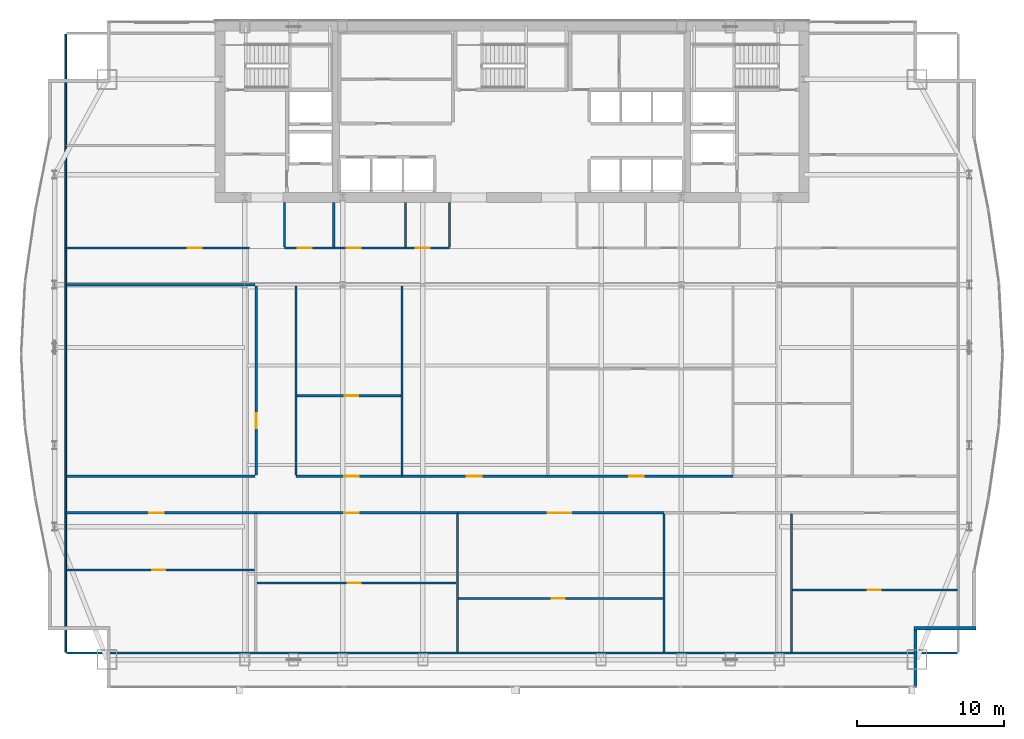
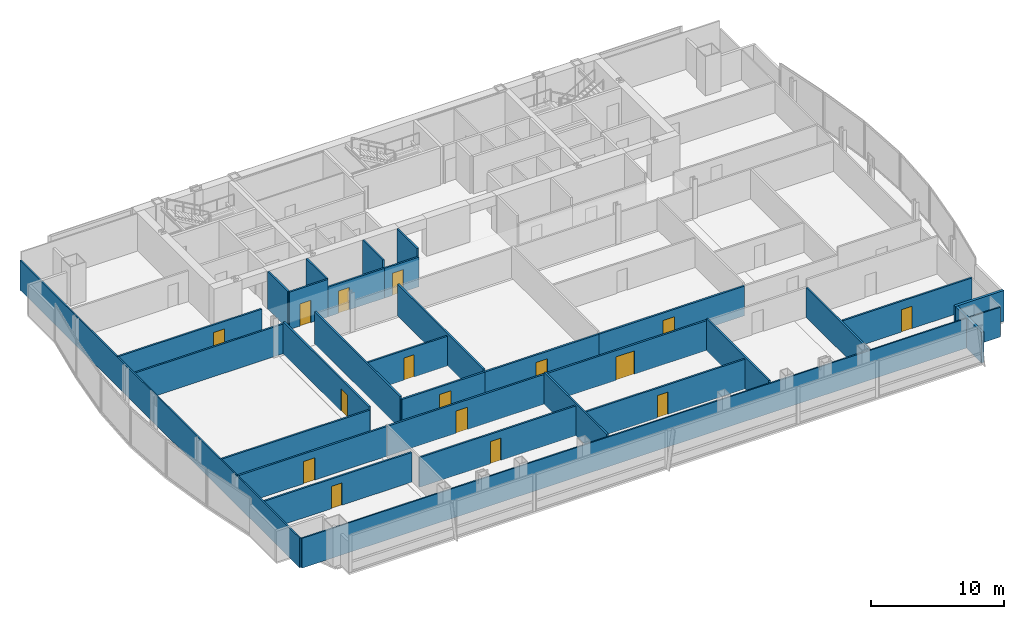
# One storey, part 24 of 29: 31 walls, 16 doors, 16 openings.
"""IFC4 building model written with IfcOpenShell, lengths in metres."""

from ifc_helpers import new_model, si_unit, direction, frame, frame_2d, origin, place, context, subcontext, project, spatial, rectangle, extrude, material, layer, layer_set, type_object, element, fill, save


model = new_model("IFC4")

# Units and contexts
model_context = context("Model", 3, precision=1e-05, world=origin(), true_north=direction((0.0, 1.0)))
body_context = subcontext(model_context, "Body", "Model", "MODEL_VIEW")
ifc_project = project(units=[si_unit("LENGTHUNIT", "METRE"), si_unit("AREAUNIT", "SQUARE_METRE"), si_unit("VOLUMEUNIT", "CUBIC_METRE"), si_unit("PLANEANGLEUNIT", "RADIAN"), si_unit("MASSUNIT", "GRAM", prefix="KILO")], contexts=[model_context])

# Site, building, storey
site_placement = place(None, origin())
site = spatial("IfcSite", under=ifc_project, at=site_placement, CompositionType="ELEMENT")
building_placement = place(site_placement, origin())
building = spatial("IfcBuilding", under=site, at=building_placement, Name="Khoronbel Lancet Exchange", CompositionType="ELEMENT")
storey_placement = place(building_placement, frame((0.0, 0.0, 154.199951171875)))
storey = spatial("IfcBuildingStorey", under=building, at=storey_placement, Name="L38", CompositionType="ELEMENT", Elevation=154.199951171875)

# Walls
ifc_material_1 = material(Name="Precast concrete C40/50", Category="concrete")
ifc_layer_1 = layer(ifc_material_1, 0.25, Name="Precast concrete C40/50")
ifc_layer_set_1 = layer_set([ifc_layer_1], Name="Precast concrete C40/50")
wall_type_1 = type_object("IfcWallType", Name="WL-EXT250", PredefinedType="SOLIDWALL", material=ifc_layer_set_1)
wall_1_placement = place(storey_placement, frame((68.070068359375, 12.2900390625, 0.0), z_axis=(0.0, 0.0, 1.0), x_axis=(-1.0, 0.0, 0.0)))
element("IfcWall", 1, at=wall_1_placement, inside=storey, type_object=wall_type_1, Name="Level L38 notched-corner limestone pier 24", PredefinedType="SOLIDWALL", context=body_context, shape_type="SweptSolid", body=[
    extrude(rectangle(XDim=4.219970703125, YDim=0.219970703125, at=frame_2d((2.10986328125, 0.0))), origin(), (0.0, 0.0, 1.0), 2.830078125),
])
wall_2_placement = place(storey_placement, frame((63.9599609375, 12.179931640625, 0.0), z_axis=(0.0, 0.0, 1.0), x_axis=(0.0, -1.0, 0.0)))
element("IfcWall", 2, at=wall_2_placement, inside=storey, type_object=wall_type_1, Name="Level L38 notched-corner limestone pier 25", PredefinedType="SOLIDWALL", context=body_context, shape_type="SweptSolid", body=[
    extrude(rectangle(XDim=3.909912109375, YDim=0.219970703125, at=frame_2d((1.955078125, 0.0))), origin(), (0.0, 0.0, 1.0), 2.830078125),
])
ifc_material_2 = material(Name="Acoustic Metal-Stud & Mineral-Wool Gypsum Partition 120 mm", Category="gypsum")
ifc_layer_2 = layer(ifc_material_2, 0.1201171875, Name="Acoustic Metal-Stud & Mineral-Wool Gypsum Partition 120 mm")
ifc_layer_set_2 = layer_set([ifc_layer_2], Name="Acoustic Metal-Stud & Mineral-Wool Gypsum Partition 120 mm")
wall_type_2 = type_object("IfcWallType", Name="WL-PRT120", PredefinedType="PARTITIONING", material=ifc_layer_set_2)
for number, where, z_axis, x_axis, name in (
    (3, (20.949951171875, 38.280029296875, 0.0), (0.0, 0.0, 1.0), (0.0, 1.0, 0.0), "Level L38 interior partition PW-WC-0"),
    (4, (24.300048828125, 38.280029296875, 0.0), (0.0, 0.0, 1.0), (0.0, 1.0, 0.0), "Level L38 interior partition PW-WC-1"),
    (5, (29.199951171875, 38.280029296875, 0.0), (0.0, 0.0, 1.0), (0.0, 1.0, 0.0), "Level L38 interior partition PW-WC-2"),
    (6, (32.179931640625, 38.280029296875, 0.0), (0.0, 0.0, 1.0), (0.0, 1.0, 0.0), "Level L38 interior partition PW-WC-3"),
):
    element("IfcWall", number, at=place(storey_placement, frame(where, z_axis=z_axis, x_axis=x_axis)), inside=storey, type_object=wall_type_2, Name=name, PredefinedType="PARTITIONING", context=body_context, shape_type="SweptSolid", body=[
        extrude(rectangle(XDim=3.02001953125, YDim=0.14990234375, at=frame_2d((1.510009765625, 0.0))), origin(), (0.0, 0.0, 1.0), 3.43994140625),
    ])

# Wall, opening, door
wall_3_placement = place(storey_placement, frame((6.094970703125, 16.2626953125, 0.0), z_axis=(0.0, 0.0, 1.0), x_axis=(1.0, 0.0, 0.0)))
wall_3 = element("IfcWall", 7, at=wall_3_placement, inside=storey, type_object=wall_type_2, Name="Level L38 interior partition PW-Z2S-H1", PredefinedType="PARTITIONING", context=body_context, shape_type="SweptSolid", body=[
    extrude(rectangle(XDim=12.81103515625, YDim=0.14990234375, at=frame_2d((6.405517578125, 0.0))), origin(), (0.0, 0.0, 1.0), 2.72998046875),
])
opening_1_placement = place(wall_3_placement, frame((5.830078125, 0.0, 0.0)))
opening_1 = element("IfcOpeningElement", 8, at=opening_1_placement, cuts=wall_3, Name="Opening D5", PredefinedType="OPENING", context=body_context, shape_type="SweptSolid", body=[
    extrude(rectangle(XDim=0.89990234375, YDim=2.050048828125, at=frame_2d((0.449951171875, 1.02490234375))), frame((0.0, 0.0849609375, 0.0), z_axis=(0.0, -1.0, 0.0), x_axis=(1.0, 0.0, 0.0)), (0.0, 0.0, 1.0), 0.169921875),
])
ifc_material_3 = material(Name="Acoustic Timber Pantry & Support Door", Category="wood")
door_type_1 = type_object("IfcDoorType", Name="DR-D5", OperationType="NOTDEFINED", PredefinedType="DOOR", material=ifc_material_3)
door_1_placement = place(opening_1_placement, origin())
door_1 = element("IfcDoor", 9, at=door_1_placement, inside=storey, type_object=door_type_1, Name="Z2S inner door 1 L38-1", OperationType="SINGLE_SWING_LEFT", OverallHeight=2.050048828125, OverallWidth=0.89990234375, PredefinedType="DOOR", context=body_context, shape_type="SweptSolid", body=[
    extrude(rectangle(XDim=0.89990234375, YDim=2.050048828125, at=frame_2d((0.449951171875, 1.02490234375))), frame((0.0, 0.02490234375, 0.0), z_axis=(0.0, -1.0, 0.0), x_axis=(1.0, 0.0, 0.0)), (0.0, 0.0, 1.0), 0.050048828125),
])
fill(opening_1, door_1)

wall_4_placement = place(storey_placement, frame((19.06591796875, 15.375, 0.0), z_axis=(0.0, 0.0, 1.0), x_axis=(1.0, 0.0, 0.0)))
wall_4 = element("IfcWall", 10, at=wall_4_placement, inside=storey, type_object=wall_type_2, Name="Level L38 interior partition PW-Z2S-H2", PredefinedType="PARTITIONING", context=body_context, shape_type="SweptSolid", body=[
    extrude(rectangle(XDim=13.578857421875, YDim=0.14990234375, at=frame_2d((6.78955078125, 0.0))), origin(), (0.0, 0.0, 1.0), 2.72998046875),
])
opening_2_placement = place(wall_4_placement, frame((6.1826171875, 0.0, 0.0)))
opening_2 = element("IfcOpeningElement", 11, at=opening_2_placement, cuts=wall_4, Name="Opening D5", PredefinedType="OPENING", context=body_context, shape_type="SweptSolid", body=[
    extrude(rectangle(XDim=0.89990234375, YDim=2.050048828125, at=frame_2d((0.449951171875, 1.02490234375))), frame((0.0, 0.0849609375, 0.0), z_axis=(0.0, -1.0, 0.0), x_axis=(1.0, 0.0, 0.0)), (0.0, 0.0, 1.0), 0.169921875),
])
door_2_placement = place(opening_2_placement, origin())
door_2 = element("IfcDoor", 12, at=door_2_placement, inside=storey, type_object=door_type_1, Name="Z2S inner door 2 L38-1", OperationType="SINGLE_SWING_LEFT", OverallHeight=2.050048828125, OverallWidth=0.89990234375, PredefinedType="DOOR", context=body_context, shape_type="SweptSolid", body=[
    extrude(rectangle(XDim=0.89990234375, YDim=2.050048828125, at=frame_2d((0.449951171875, 1.02490234375))), frame((0.0, 0.02490234375, 0.0), z_axis=(0.0, -1.0, 0.0), x_axis=(1.0, 0.0, 0.0)), (0.0, 0.0, 1.0), 0.050048828125),
])
fill(opening_2, door_2)

wall_5_placement = place(storey_placement, frame((32.8046875, 14.31689453125, 0.0), z_axis=(0.0, 0.0, 1.0), x_axis=(1.0, 0.0, 0.0)))
wall_5 = element("IfcWall", 13, at=wall_5_placement, inside=storey, type_object=wall_type_2, Name="Level L38 interior partition PW-Z2S-H3", PredefinedType="PARTITIONING", context=body_context, shape_type="SweptSolid", body=[
    extrude(rectangle(XDim=13.9326171875, YDim=0.14990234375, at=frame_2d((6.96630859375, 0.0))), origin(), (0.0, 0.0, 1.0), 2.72998046875),
])
opening_3_placement = place(wall_5_placement, frame((6.341552734375, 0.0, 0.0)))
opening_3 = element("IfcOpeningElement", 14, at=opening_3_placement, cuts=wall_5, Name="Opening D5", PredefinedType="OPENING", context=body_context, shape_type="SweptSolid", body=[
    extrude(rectangle(XDim=0.89990234375, YDim=2.050048828125, at=frame_2d((0.449951171875, 1.02490234375))), frame((0.0, 0.0849609375, 0.0), z_axis=(0.0, -1.0, 0.0), x_axis=(1.0, 0.0, 0.0)), (0.0, 0.0, 1.0), 0.169921875),
])
door_3_placement = place(opening_3_placement, origin())
door_3 = element("IfcDoor", 15, at=door_3_placement, inside=storey, type_object=door_type_1, Name="Z2S inner door 3 L38-1", OperationType="SINGLE_SWING_RIGHT", OverallHeight=2.050048828125, OverallWidth=0.89990234375, PredefinedType="DOOR", context=body_context, shape_type="SweptSolid", body=[
    extrude(rectangle(XDim=0.89990234375, YDim=2.050048828125, at=frame_2d((0.449951171875, 1.02490234375))), frame((0.0, 0.02490234375, 0.0), z_axis=(0.0, -1.0, 0.0), x_axis=(1.0, 0.0, 0.0)), (0.0, 0.0, 1.0), 0.050048828125),
])
fill(opening_3, door_3)

wall_6_placement = place(storey_placement, frame((55.585205078125, 14.884521484375, 0.0), z_axis=(0.0, 0.0, 1.0), x_axis=(1.0, 0.0, 0.0)))
wall_6 = element("IfcWall", 16, at=wall_6_placement, inside=storey, type_object=wall_type_2, Name="Level L38 interior partition PW-Z2S-H5", PredefinedType="PARTITIONING", context=body_context, shape_type="SweptSolid", body=[
    extrude(rectangle(XDim=11.2197265625, YDim=0.14990234375, at=frame_2d((5.60986328125, 0.0))), origin(), (0.0, 0.0, 1.0), 2.830078125),
])
opening_4_placement = place(wall_6_placement, frame((5.1142578125, 0.0, 0.0)))
opening_4 = element("IfcOpeningElement", 17, at=opening_4_placement, cuts=wall_6, Name="Opening D5", PredefinedType="OPENING", context=body_context, shape_type="SweptSolid", body=[
    extrude(rectangle(XDim=0.89990234375, YDim=2.050048828125, at=frame_2d((0.449951171875, 1.02490234375))), frame((0.0, 0.0849609375, 0.0), z_axis=(0.0, -1.0, 0.0), x_axis=(1.0, 0.0, 0.0)), (0.0, 0.0, 1.0), 0.169921875),
])
door_4_placement = place(opening_4_placement, origin())
door_4 = element("IfcDoor", 18, at=door_4_placement, inside=storey, type_object=door_type_1, Name="Z2S inner door 5 L38-1", OperationType="SINGLE_SWING_LEFT", OverallHeight=2.050048828125, OverallWidth=0.89990234375, PredefinedType="DOOR", context=body_context, shape_type="SweptSolid", body=[
    extrude(rectangle(XDim=0.89990234375, YDim=2.050048828125, at=frame_2d((0.449951171875, 1.02490234375))), frame((0.0, 0.02490234375, 0.0), z_axis=(0.0, -1.0, 0.0), x_axis=(1.0, 0.0, 0.0)), (0.0, 0.0, 1.0), 0.050048828125),
])
fill(opening_4, door_4)

wall_7_placement = place(storey_placement, frame((21.81005859375, 28.131103515625, 0.0), z_axis=(0.0, 0.0, 1.0), x_axis=(1.0, 0.0, 0.0)))
wall_7 = element("IfcWall", 19, at=wall_7_placement, inside=storey, type_object=wall_type_2, Name="Level L38 interior partition PW-Z2N-H1", PredefinedType="PARTITIONING", context=body_context, shape_type="SweptSolid", body=[
    extrude(rectangle(XDim=7.062255859375, YDim=0.14990234375, at=frame_2d((3.53125, 0.0))), origin(), (0.0, 0.0, 1.0), 2.72998046875),
])
opening_5_placement = place(wall_7_placement, frame((3.25, 0.0, 0.0)))
opening_5 = element("IfcOpeningElement", 20, at=opening_5_placement, cuts=wall_7, Name="Opening D5", PredefinedType="OPENING", context=body_context, shape_type="SweptSolid", body=[
    extrude(rectangle(XDim=0.89990234375, YDim=2.050048828125, at=frame_2d((0.449951171875, 1.02490234375))), frame((0.0, 0.0849609375, 0.0), z_axis=(0.0, -1.0, 0.0), x_axis=(1.0, 0.0, 0.0)), (0.0, 0.0, 1.0), 0.169921875),
])
door_5_placement = place(opening_5_placement, origin())
door_5 = element("IfcDoor", 21, at=door_5_placement, inside=storey, type_object=door_type_1, Name="Z2N inner door 1 L38-1", OperationType="SINGLE_SWING_RIGHT", OverallHeight=2.050048828125, OverallWidth=0.89990234375, PredefinedType="DOOR", context=body_context, shape_type="SweptSolid", body=[
    extrude(rectangle(XDim=0.89990234375, YDim=2.050048828125, at=frame_2d((0.449951171875, 1.02490234375))), frame((0.0, 0.02490234375, 0.0), z_axis=(0.0, -1.0, 0.0), x_axis=(1.0, 0.0, 0.0)), (0.0, 0.0, 1.0), 0.050048828125),
])
fill(opening_5, door_5)

# Walls
wall_8_placement = place(storey_placement, frame((6.030029296875, 10.6650390625, 0.0), z_axis=(0.0, 0.0, 1.0), x_axis=(0.0, 1.0, 0.0)))
element("IfcWall", 22, at=wall_8_placement, inside=storey, type_object=wall_type_2, Name="Level L38 interior partition PW-LIN-W", PredefinedType="PARTITIONING", context=body_context, shape_type="SweptSolid", body=[
    extrude(rectangle(XDim=42.10986328125, YDim=0.1201171875, at=frame_2d((21.054931640625, 0.0))), origin(), (0.0, 0.0, 1.0), 2.72998046875),
])
wall_9_placement = place(storey_placement, frame((6.094970703125, 10.60009765625, 0.0), z_axis=(0.0, 0.0, 1.0), x_axis=(1.0, 0.0, 0.0)))
element("IfcWall", 23, at=wall_9_placement, inside=storey, type_object=wall_type_2, Name="Level L38 interior partition PW-LIN-S", PredefinedType="PARTITIONING", context=body_context, shape_type="SweptSolid", body=[
    extrude(rectangle(XDim=60.7099609375, YDim=0.1201171875, at=frame_2d((30.35498046875, 0.0))), origin(), (0.0, 0.0, 1.0), 2.72998046875),
])

# Wall, opening, door
ifc_material_4 = material(Name="Fire-Rated Twin-Stud Acoustic Gypsum Partition 150 mm", Category="gypsum")
ifc_layer_3 = layer(ifc_material_4, 0.14990234375, Name="Fire-Rated Twin-Stud Acoustic Gypsum Partition 150 mm")
ifc_layer_set_3 = layer_set([ifc_layer_3], Name="Fire-Rated Twin-Stud Acoustic Gypsum Partition 150 mm")
wall_type_3 = type_object("IfcWallType", Name="WL-PRT150C", PredefinedType="PARTITIONING", material=ifc_layer_set_3)
wall_10_placement = place(storey_placement, frame((20.949951171875, 38.199951171875, 0.0), z_axis=(0.0, 0.0, 1.0), x_axis=(1.0, 0.0, 0.0)))
wall_10 = element("IfcWall", 24, at=wall_10_placement, inside=storey, type_object=wall_type_3, Name="Level L38 interior partition PW-WC-S1", PredefinedType="PARTITIONING", context=body_context, shape_type="SweptSolid", body=[
    extrude(rectangle(XDim=3.35009765625, YDim=0.14990234375, at=frame_2d((1.675048828125, 0.0))), origin(), (0.0, 0.0, 1.0), 3.43994140625),
])
opening_6_placement = place(wall_10_placement, frame((0.89990234375, 0.0, 0.0)))
opening_6 = element("IfcOpeningElement", 25, at=opening_6_placement, cuts=wall_10, Name="Opening D4", PredefinedType="OPENING", context=body_context, shape_type="SweptSolid", body=[
    extrude(rectangle(XDim=0.949951171875, YDim=2.050048828125, at=frame_2d((0.47509765625, 1.02490234375))), frame((0.0, 0.0849609375, 0.0), z_axis=(0.0, -1.0, 0.0), x_axis=(1.0, 0.0, 0.0)), (0.0, 0.0, 1.0), 0.169921875),
])
ifc_material_5 = material(Name="Moisture-Resistant HPL Washroom Door", Category="wood")
door_type_2 = type_object("IfcDoorType", Name="DR-D4", OperationType="NOTDEFINED", PredefinedType="DOOR", material=ifc_material_5)
door_6_placement = place(opening_6_placement, origin())
door_6 = element("IfcDoor", 26, at=door_6_placement, inside=storey, type_object=door_type_2, Name="Male washroom door L38-1", OperationType="SINGLE_SWING_LEFT", OverallHeight=2.050048828125, OverallWidth=0.949951171875, PredefinedType="DOOR", context=body_context, shape_type="SweptSolid", body=[
    extrude(rectangle(XDim=0.949951171875, YDim=2.050048828125, at=frame_2d((0.47509765625, 1.02490234375))), frame((0.0, 0.02490234375, 0.0), z_axis=(0.0, -1.0, 0.0), x_axis=(1.0, 0.0, 0.0)), (0.0, 0.0, 1.0), 0.050048828125),
])
fill(opening_6, door_6)

wall_11_placement = place(storey_placement, frame((24.300048828125, 38.199951171875, 0.0), z_axis=(0.0, 0.0, 1.0), x_axis=(1.0, 0.0, 0.0)))
wall_11 = element("IfcWall", 27, at=wall_11_placement, inside=storey, type_object=wall_type_3, Name="Level L38 interior partition PW-WC-S2", PredefinedType="PARTITIONING", context=body_context, shape_type="SweptSolid", body=[
    extrude(rectangle(XDim=4.89990234375, YDim=0.14990234375, at=frame_2d((2.449951171875, 0.0))), origin(), (0.0, 0.0, 1.0), 2.72998046875),
])
opening_7_placement = place(wall_11_placement, frame((0.89990234375, 0.0, 0.0)))
opening_7 = element("IfcOpeningElement", 28, at=opening_7_placement, cuts=wall_11, Name="Opening D4", PredefinedType="OPENING", context=body_context, shape_type="SweptSolid", body=[
    extrude(rectangle(XDim=0.949951171875, YDim=2.050048828125, at=frame_2d((0.47509765625, 1.02490234375))), frame((0.0, 0.0849609375, 0.0), z_axis=(0.0, -1.0, 0.0), x_axis=(1.0, 0.0, 0.0)), (0.0, 0.0, 1.0), 0.169921875),
])
door_7_placement = place(opening_7_placement, origin())
door_7 = element("IfcDoor", 29, at=door_7_placement, inside=storey, type_object=door_type_2, Name="Female washroom door L38-1", OperationType="SINGLE_SWING_RIGHT", OverallHeight=2.050048828125, OverallWidth=0.949951171875, PredefinedType="DOOR", context=body_context, shape_type="SweptSolid", body=[
    extrude(rectangle(XDim=0.949951171875, YDim=2.050048828125, at=frame_2d((0.47509765625, 1.02490234375))), frame((0.0, 0.02490234375, 0.0), z_axis=(0.0, -1.0, 0.0), x_axis=(1.0, 0.0, 0.0)), (0.0, 0.0, 1.0), 0.050048828125),
])
fill(opening_7, door_7)

wall_12_placement = place(storey_placement, frame((29.199951171875, 38.199951171875, 0.0), z_axis=(0.0, 0.0, 1.0), x_axis=(1.0, 0.0, 0.0)))
wall_12 = element("IfcWall", 30, at=wall_12_placement, inside=storey, type_object=wall_type_3, Name="Level L38 interior partition PW-WC-S3", PredefinedType="PARTITIONING", context=body_context, shape_type="SweptSolid", body=[
    extrude(rectangle(XDim=2.97998046875, YDim=0.14990234375, at=frame_2d((1.489990234375, 0.0))), origin(), (0.0, 0.0, 1.0), 2.72998046875),
])
opening_8_placement = place(wall_12_placement, frame((0.699951171875, 0.0, 0.0)))
opening_8 = element("IfcOpeningElement", 31, at=opening_8_placement, cuts=wall_12, Name="Opening D4", PredefinedType="OPENING", context=body_context, shape_type="SweptSolid", body=[
    extrude(rectangle(XDim=0.949951171875, YDim=2.050048828125, at=frame_2d((0.47509765625, 1.02490234375))), frame((0.0, 0.0849609375, 0.0), z_axis=(0.0, -1.0, 0.0), x_axis=(1.0, 0.0, 0.0)), (0.0, 0.0, 1.0), 0.169921875),
])
door_8_placement = place(opening_8_placement, origin())
door_8 = element("IfcDoor", 32, at=door_8_placement, inside=storey, type_object=door_type_2, Name="Accessible WC door L38-1", OperationType="SINGLE_SWING_LEFT", OverallHeight=2.050048828125, OverallWidth=0.949951171875, PredefinedType="DOOR", context=body_context, shape_type="SweptSolid", body=[
    extrude(rectangle(XDim=0.949951171875, YDim=2.050048828125, at=frame_2d((0.47509765625, 1.02490234375))), frame((0.0, 0.02490234375, 0.0), z_axis=(0.0, -1.0, 0.0), x_axis=(1.0, 0.0, 0.0)), (0.0, 0.0, 1.0), 0.050048828125),
])
fill(opening_8, door_8)

wall_13_placement = place(storey_placement, frame((6.030029296875, 38.199951171875, 0.0), z_axis=(0.0, 0.0, 1.0), x_axis=(1.0, 0.0, 0.0)))
wall_13 = element("IfcWall", 33, at=wall_13_placement, inside=storey, type_object=wall_type_3, Name="Level L38 interior partition PW-NW-S", PredefinedType="PARTITIONING", context=body_context, shape_type="SweptSolid", body=[
    extrude(rectangle(XDim=12.52001953125, YDim=0.14990234375, at=frame_2d((6.260009765625, 0.0))), origin(), (0.0, 0.0, 1.0), 2.72998046875),
])
opening_9_placement = place(wall_13_placement, frame((8.320068359375, 0.0, 0.0)))
opening_9 = element("IfcOpeningElement", 34, at=opening_9_placement, cuts=wall_13, Name="Opening D1", PredefinedType="OPENING", context=body_context, shape_type="SweptSolid", body=[
    extrude(rectangle(XDim=0.949951171875, YDim=2.050048828125, at=frame_2d((0.47509765625, 1.02490234375))), frame((0.0, 0.0849609375, 0.0), z_axis=(0.0, -1.0, 0.0), x_axis=(1.0, 0.0, 0.0)), (0.0, 0.0, 1.0), 0.169921875),
])
ifc_material_6 = material(Name="Acoustic Veneered Timber & Bronze Frame Door", Category="wood")
door_type_3 = type_object("IfcDoorType", Name="DR-D1", OperationType="NOTDEFINED", PredefinedType="DOOR", material=ifc_material_6)
door_9_placement = place(opening_9_placement, origin())
door_9 = element("IfcDoor", 35, at=door_9_placement, inside=storey, type_object=door_type_3, Name="NW corner room door L38-1", OperationType="SINGLE_SWING_RIGHT", OverallHeight=2.050048828125, OverallWidth=0.949951171875, PredefinedType="DOOR", context=body_context, shape_type="SweptSolid", body=[
    extrude(rectangle(XDim=0.949951171875, YDim=2.050048828125, at=frame_2d((0.47509765625, 1.02490234375))), frame((0.0, 0.02490234375, 0.0), z_axis=(0.0, -1.0, 0.0), x_axis=(1.0, 0.0, 0.0)), (0.0, 0.0, 1.0), 0.050048828125),
])
fill(opening_9, door_9)

# Walls
for number, where, z_axis, x_axis, name in (
    (36, (32.724853515625, 10.6650390625, 0.0), (0.0, 0.0, 1.0), (0.0, 1.0, 0.0), "Level L38 interior partition PW-Z2S-V2"),
    (37, (46.8173828125, 10.6650390625, 0.0), (0.0, 0.0, 1.0), (0.0, 1.0, 0.0), "Level L38 interior partition PW-Z2S-V3"),
):
    element("IfcWall", number, at=place(storey_placement, frame(where, z_axis=z_axis, x_axis=x_axis)), inside=storey, type_object=wall_type_3, Name=name, PredefinedType="PARTITIONING", context=body_context, shape_type="SweptSolid", body=[
        extrude(rectangle(XDim=9.39990234375, YDim=0.14990234375, at=frame_2d((4.699951171875, 0.0))), origin(), (0.0, 0.0, 1.0), 2.929931640625),
    ])
wall_14_placement = place(storey_placement, frame((55.505126953125, 10.6650390625, 0.0), z_axis=(0.0, 0.0, 1.0), x_axis=(0.0, 1.0, 0.0)))
element("IfcWall", 38, at=wall_14_placement, inside=storey, type_object=wall_type_3, Name="Level L38 interior partition PW-Z2S-V4", PredefinedType="PARTITIONING", context=body_context, shape_type="SweptSolid", body=[
    extrude(rectangle(XDim=9.39990234375, YDim=0.14990234375, at=frame_2d((4.699951171875, 0.0))), origin(), (0.0, 0.0, 1.0), 2.72998046875),
])

# Wall, opening, door
wall_15_placement = place(storey_placement, frame((19.02001953125, 22.72998046875, 0.0), z_axis=(0.0, 0.0, 1.0), x_axis=(0.0, 1.0, 0.0)))
wall_15 = element("IfcWall", 39, at=wall_15_placement, inside=storey, type_object=wall_type_3, Name="Level L38 interior partition PW-Z2-WLK", PredefinedType="PARTITIONING", context=body_context, shape_type="SweptSolid", body=[
    extrude(rectangle(XDim=12.89013671875, YDim=0.14990234375, at=frame_2d((6.445068359375, 0.0))), origin(), (0.0, 0.0, 1.0), 2.929931640625),
])
opening_10_placement = place(wall_15_placement, frame((3.199951171875, 0.0, 0.0)))
opening_10 = element("IfcOpeningElement", 40, at=opening_10_placement, cuts=wall_15, Name="Opening D2", PredefinedType="OPENING", context=body_context, shape_type="SweptSolid", body=[
    extrude(rectangle(XDim=1.0, YDim=2.050048828125, at=frame_2d((0.5, 1.02490234375))), frame((0.0, 0.0849609375, 0.0), z_axis=(0.0, -1.0, 0.0), x_axis=(1.0, 0.0, 0.0)), (0.0, 0.0, 1.0), 0.169921875),
])
door_type_4 = type_object("IfcDoorType", Name="DR-D2", OperationType="NOTDEFINED", PredefinedType="DOOR", material=ifc_material_6)
door_10_placement = place(opening_10_placement, origin())
door_10 = element("IfcDoor", 41, at=door_10_placement, inside=storey, type_object=door_type_4, Name="West mid-band room door L38-1", OperationType="SINGLE_SWING_RIGHT", OverallHeight=2.050048828125, OverallWidth=1.0, PredefinedType="DOOR", context=body_context, shape_type="SweptSolid", body=[
    extrude(rectangle(XDim=1.0, YDim=2.050048828125, at=frame_2d((0.5, 1.02490234375))), frame((0.0, 0.02490234375, 0.0), z_axis=(0.0, -1.0, 0.0), x_axis=(1.0, 0.0, 0.0)), (0.0, 0.0, 1.0), 0.050048828125),
])
fill(opening_10, door_10)

# Walls
for number, where, z_axis, x_axis, name in (
    (42, (6.094970703125, 22.64990234375, 0.0), (0.0, 0.0, 1.0), (1.0, 0.0, 0.0), "Level L38 interior partition PW-Z2-WS"),
    (43, (6.094970703125, 35.699951171875, 0.0), (0.0, 0.0, 1.0), (1.0, 0.0, 0.0), "Level L38 interior partition PW-Z2-WN"),
):
    element("IfcWall", number, at=place(storey_placement, frame(where, z_axis=z_axis, x_axis=x_axis)), inside=storey, type_object=wall_type_3, Name=name, PredefinedType="PARTITIONING", context=body_context, shape_type="SweptSolid", body=[
        extrude(rectangle(XDim=12.844970703125, YDim=0.14990234375, at=frame_2d((6.42236328125, 0.0))), origin(), (0.0, 0.0, 1.0), 2.72998046875),
    ])
for number, where, z_axis, x_axis, name in (
    (44, (21.72998046875, 22.735107421875, 0.0), (0.0, 0.0, 1.0), (0.0, 1.0, 0.0), "Level L38 interior partition PW-Z2-ELK"),
    (45, (28.952392578125, 22.735107421875, 0.0), (0.0, 0.0, 1.0), (0.0, 1.0, 0.0), "Level L38 interior partition PW-Z2N-V1"),
):
    element("IfcWall", number, at=place(storey_placement, frame(where, z_axis=z_axis, x_axis=x_axis)), inside=storey, type_object=wall_type_3, Name=name, PredefinedType="PARTITIONING", context=body_context, shape_type="SweptSolid", body=[
        extrude(rectangle(XDim=12.885009765625, YDim=0.14990234375, at=frame_2d((6.4423828125, 0.0))), origin(), (0.0, 0.0, 1.0), 2.929931640625),
    ])

# Wall, opening, door
ifc_material_7 = material(Name="Fire-Rated Twin-Stud Acoustic Gypsum Partition 160 mm", Category="gypsum")
ifc_layer_4 = layer(ifc_material_7, 0.159912109375, Name="Fire-Rated Twin-Stud Acoustic Gypsum Partition 160 mm")
ifc_layer_set_4 = layer_set([ifc_layer_4], Name="Fire-Rated Twin-Stud Acoustic Gypsum Partition 160 mm")
wall_type_4 = type_object("IfcWallType", Name="WL-PRT160C", PredefinedType="PARTITIONING", material=ifc_layer_set_4)
wall_16_placement = place(storey_placement, frame((6.030029296875, 20.14990234375, 0.0), z_axis=(0.0, 0.0, 1.0), x_axis=(1.0, 0.0, 0.0)))
wall_16 = element("IfcWall", 46, at=wall_16_placement, inside=storey, type_object=wall_type_4, Name="Level L38 interior partition PW-Z2S-COR1", PredefinedType="PARTITIONING", context=body_context, shape_type="SweptSolid", body=[
    extrude(rectangle(XDim=12.9560546875, YDim=0.159912109375, at=frame_2d((6.47802734375, 0.0))), origin(), (0.0, 0.0, 1.0), 2.72998046875),
])
opening_11_placement = place(wall_16_placement, frame((5.69140625, 0.0, 0.0)))
opening_11 = element("IfcOpeningElement", 47, at=opening_11_placement, cuts=wall_16, Name="Opening D2", PredefinedType="OPENING", context=body_context, shape_type="SweptSolid", body=[
    extrude(rectangle(XDim=1.0, YDim=2.050048828125, at=frame_2d((0.5, 1.02490234375))), frame((0.0, 0.08984375, 0.0), z_axis=(0.0, -1.0, 0.0), x_axis=(1.0, 0.0, 0.0)), (0.0, 0.0, 1.0), 0.179931640625),
])
door_11_placement = place(opening_11_placement, origin())
door_11 = element("IfcDoor", 48, at=door_11_placement, inside=storey, type_object=door_type_4, Name="Z2S bay 1 door L38-1", OperationType="SINGLE_SWING_RIGHT", OverallHeight=2.050048828125, OverallWidth=1.0, PredefinedType="DOOR", context=body_context, shape_type="SweptSolid", body=[
    extrude(rectangle(XDim=1.0, YDim=2.050048828125, at=frame_2d((0.5, 1.02490234375))), frame((0.0, 0.02490234375, 0.0), z_axis=(0.0, -1.0, 0.0), x_axis=(1.0, 0.0, 0.0)), (0.0, 0.0, 1.0), 0.050048828125),
])
fill(opening_11, door_11)

wall_17_placement = place(storey_placement, frame((18.986083984375, 20.14990234375, 0.0), z_axis=(0.0, 0.0, 1.0), x_axis=(1.0, 0.0, 0.0)))
wall_17 = element("IfcWall", 49, at=wall_17_placement, inside=storey, type_object=wall_type_4, Name="Level L38 interior partition PW-Z2S-COR2", PredefinedType="PARTITIONING", context=body_context, shape_type="SweptSolid", body=[
    extrude(rectangle(XDim=13.73876953125, YDim=0.159912109375, at=frame_2d((6.869384765625, 0.0))), origin(), (0.0, 0.0, 1.0), 2.72998046875),
])
opening_12_placement = place(wall_17_placement, frame((6.020263671875, 0.0, 0.0)))
opening_12 = element("IfcOpeningElement", 50, at=opening_12_placement, cuts=wall_17, Name="Opening D2", PredefinedType="OPENING", context=body_context, shape_type="SweptSolid", body=[
    extrude(rectangle(XDim=1.0, YDim=2.050048828125, at=frame_2d((0.5, 1.02490234375))), frame((0.0, 0.08984375, 0.0), z_axis=(0.0, -1.0, 0.0), x_axis=(1.0, 0.0, 0.0)), (0.0, 0.0, 1.0), 0.179931640625),
])
door_12_placement = place(opening_12_placement, origin())
door_12 = element("IfcDoor", 51, at=door_12_placement, inside=storey, type_object=door_type_4, Name="Z2S bay 2 door L38-1", OperationType="SINGLE_SWING_RIGHT", OverallHeight=2.050048828125, OverallWidth=1.0, PredefinedType="DOOR", context=body_context, shape_type="SweptSolid", body=[
    extrude(rectangle(XDim=1.0, YDim=2.050048828125, at=frame_2d((0.5, 1.02490234375))), frame((0.0, 0.02490234375, 0.0), z_axis=(0.0, -1.0, 0.0), x_axis=(1.0, 0.0, 0.0)), (0.0, 0.0, 1.0), 0.050048828125),
])
fill(opening_12, door_12)

wall_18_placement = place(storey_placement, frame((32.724853515625, 20.14990234375, 0.0), z_axis=(0.0, 0.0, 1.0), x_axis=(1.0, 0.0, 0.0)))
wall_18 = element("IfcWall", 52, at=wall_18_placement, inside=storey, type_object=wall_type_4, Name="Level L38 interior partition PW-Z2S-COR3", PredefinedType="PARTITIONING", context=body_context, shape_type="SweptSolid", body=[
    extrude(rectangle(XDim=14.092529296875, YDim=0.159912109375, at=frame_2d((7.04638671875, 0.0))), origin(), (0.0, 0.0, 1.0), 2.72998046875),
])
opening_13_placement = place(wall_18_placement, frame((6.168701171875, 0.0, 0.0)))
opening_13 = element("IfcOpeningElement", 53, at=opening_13_placement, cuts=wall_18, Name="Opening D3", PredefinedType="OPENING", context=body_context, shape_type="SweptSolid", body=[
    extrude(rectangle(XDim=1.60009765625, YDim=2.14990234375, at=frame_2d((0.800048828125, 1.074951171875))), frame((0.0, 0.08984375, 0.0), z_axis=(0.0, -1.0, 0.0), x_axis=(1.0, 0.0, 0.0)), (0.0, 0.0, 1.0), 0.179931640625),
])
ifc_material_8 = material(Name="Glazed Bronze-Framed Double Suite Door", Category="aluminium")
door_type_5 = type_object("IfcDoorType", Name="DR-D3", OperationType="NOTDEFINED", PredefinedType="DOOR", material=ifc_material_8)
door_13_placement = place(opening_13_placement, origin())
door_13 = element("IfcDoor", 54, at=door_13_placement, inside=storey, type_object=door_type_5, Name="Z2S bay 3 door L38-1", OperationType="DOUBLE_DOOR_SINGLE_SWING", OverallHeight=2.14990234375, OverallWidth=1.60009765625, PredefinedType="DOOR", context=body_context, shape_type="SweptSolid", body=[
    extrude(rectangle(XDim=1.60009765625, YDim=2.14990234375, at=frame_2d((0.800048828125, 1.074951171875))), frame((0.0, 0.02490234375, 0.0), z_axis=(0.0, -1.0, 0.0), x_axis=(1.0, 0.0, 0.0)), (0.0, 0.0, 1.0), 0.050048828125),
])
fill(opening_13, door_13)

wall_19_placement = place(storey_placement, frame((21.72998046875, 22.64990234375, 0.0), z_axis=(0.0, 0.0, 1.0), x_axis=(1.0, 0.0, 0.0)))
wall_19 = element("IfcWall", 55, at=wall_19_placement, inside=storey, type_object=wall_type_4, Name="Level L38 interior partition PW-Z2N-COR1", PredefinedType="PARTITIONING", context=body_context, shape_type="SweptSolid", body=[
    extrude(rectangle(XDim=7.222412109375, YDim=0.159912109375, at=frame_2d((3.611328125, 0.0))), origin(), (0.0, 0.0, 1.0), 2.72998046875),
])
opening_14_placement = place(wall_19_placement, frame((3.283447265625, 0.0, 0.0)))
opening_14 = element("IfcOpeningElement", 56, at=opening_14_placement, cuts=wall_19, Name="Opening D2", PredefinedType="OPENING", context=body_context, shape_type="SweptSolid", body=[
    extrude(rectangle(XDim=1.0, YDim=2.050048828125, at=frame_2d((0.5, 1.02490234375))), frame((0.0, 0.08984375, 0.0), z_axis=(0.0, -1.0, 0.0), x_axis=(1.0, 0.0, 0.0)), (0.0, 0.0, 1.0), 0.179931640625),
])
door_14_placement = place(opening_14_placement, origin())
door_14 = element("IfcDoor", 57, at=door_14_placement, inside=storey, type_object=door_type_4, Name="Z2N bay 1 door L38-1", OperationType="SINGLE_SWING_LEFT", OverallHeight=2.050048828125, OverallWidth=1.0, PredefinedType="DOOR", context=body_context, shape_type="SweptSolid", body=[
    extrude(rectangle(XDim=1.0, YDim=2.050048828125, at=frame_2d((0.5, 1.02490234375))), frame((0.0, 0.02490234375, 0.0), z_axis=(0.0, -1.0, 0.0), x_axis=(1.0, 0.0, 0.0)), (0.0, 0.0, 1.0), 0.050048828125),
])
fill(opening_14, door_14)

wall_20_placement = place(storey_placement, frame((28.952392578125, 22.64990234375, 0.0), z_axis=(0.0, 0.0, 1.0), x_axis=(1.0, 0.0, 0.0)))
wall_20 = element("IfcWall", 58, at=wall_20_placement, inside=storey, type_object=wall_type_4, Name="Level L38 interior partition PW-Z2N-COR2", PredefinedType="PARTITIONING", context=body_context, shape_type="SweptSolid", body=[
    extrude(rectangle(XDim=9.930908203125, YDim=0.159912109375, at=frame_2d((4.96533203125, 0.0))), origin(), (0.0, 0.0, 1.0), 2.72998046875),
])
opening_15_placement = place(wall_20_placement, frame((4.4208984375, 0.0, 0.0)))
opening_15 = element("IfcOpeningElement", 59, at=opening_15_placement, cuts=wall_20, Name="Opening D2", PredefinedType="OPENING", context=body_context, shape_type="SweptSolid", body=[
    extrude(rectangle(XDim=1.0, YDim=2.050048828125, at=frame_2d((0.5, 1.02490234375))), frame((0.0, 0.08984375, 0.0), z_axis=(0.0, -1.0, 0.0), x_axis=(1.0, 0.0, 0.0)), (0.0, 0.0, 1.0), 0.179931640625),
])
door_15_placement = place(opening_15_placement, origin())
door_15 = element("IfcDoor", 60, at=door_15_placement, inside=storey, type_object=door_type_4, Name="Z2N bay 2 door L38-1", OperationType="SINGLE_SWING_LEFT", OverallHeight=2.050048828125, OverallWidth=1.0, PredefinedType="DOOR", context=body_context, shape_type="SweptSolid", body=[
    extrude(rectangle(XDim=1.0, YDim=2.050048828125, at=frame_2d((0.5, 1.02490234375))), frame((0.0, 0.02490234375, 0.0), z_axis=(0.0, -1.0, 0.0), x_axis=(1.0, 0.0, 0.0)), (0.0, 0.0, 1.0), 0.050048828125),
])
fill(opening_15, door_15)

wall_21_placement = place(storey_placement, frame((38.88330078125, 22.64990234375, 0.0), z_axis=(0.0, 0.0, 1.0), x_axis=(1.0, 0.0, 0.0)))
wall_21 = element("IfcWall", 61, at=wall_21_placement, inside=storey, type_object=wall_type_4, Name="Level L38 interior partition PW-Z2N-COR3", PredefinedType="PARTITIONING", context=body_context, shape_type="SweptSolid", body=[
    extrude(rectangle(XDim=12.63916015625, YDim=0.159912109375, at=frame_2d((6.319580078125, 0.0))), origin(), (0.0, 0.0, 1.0), 2.72998046875),
])
opening_16_placement = place(wall_21_placement, frame((5.55859375, 0.0, 0.0)))
opening_16 = element("IfcOpeningElement", 62, at=opening_16_placement, cuts=wall_21, Name="Opening D2", PredefinedType="OPENING", context=body_context, shape_type="SweptSolid", body=[
    extrude(rectangle(XDim=1.0, YDim=2.050048828125, at=frame_2d((0.5, 1.02490234375))), frame((0.0, 0.08984375, 0.0), z_axis=(0.0, -1.0, 0.0), x_axis=(1.0, 0.0, 0.0)), (0.0, 0.0, 1.0), 0.179931640625),
])
door_16_placement = place(opening_16_placement, origin())
door_16 = element("IfcDoor", 63, at=door_16_placement, inside=storey, type_object=door_type_4, Name="Z2N bay 3 door L38-1", OperationType="SINGLE_SWING_RIGHT", OverallHeight=2.050048828125, OverallWidth=1.0, PredefinedType="DOOR", context=body_context, shape_type="SweptSolid", body=[
    extrude(rectangle(XDim=1.0, YDim=2.050048828125, at=frame_2d((0.5, 1.02490234375))), frame((0.0, 0.02490234375, 0.0), z_axis=(0.0, -1.0, 0.0), x_axis=(1.0, 0.0, 0.0)), (0.0, 0.0, 1.0), 0.050048828125),
])
fill(opening_16, door_16)

save(model, "model.ifc")
